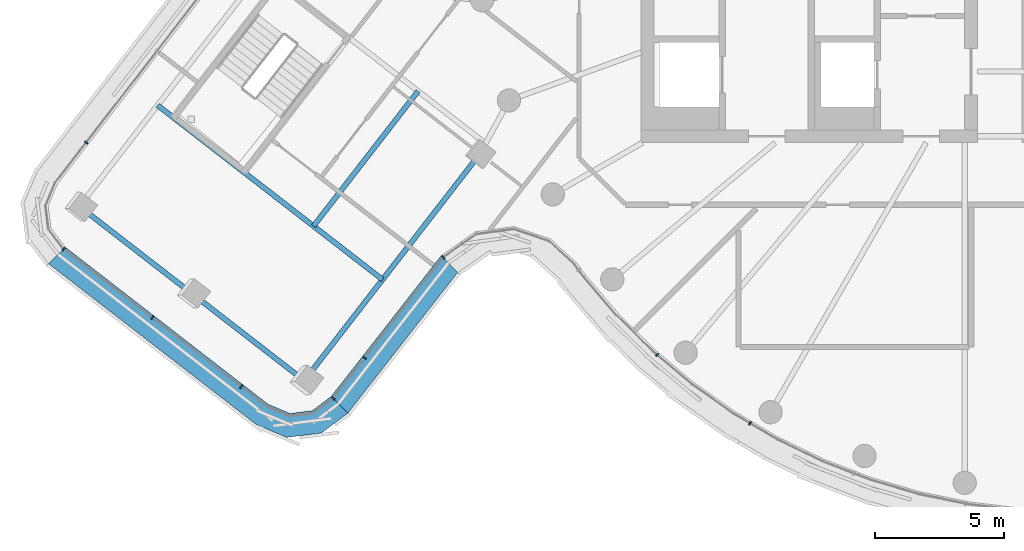
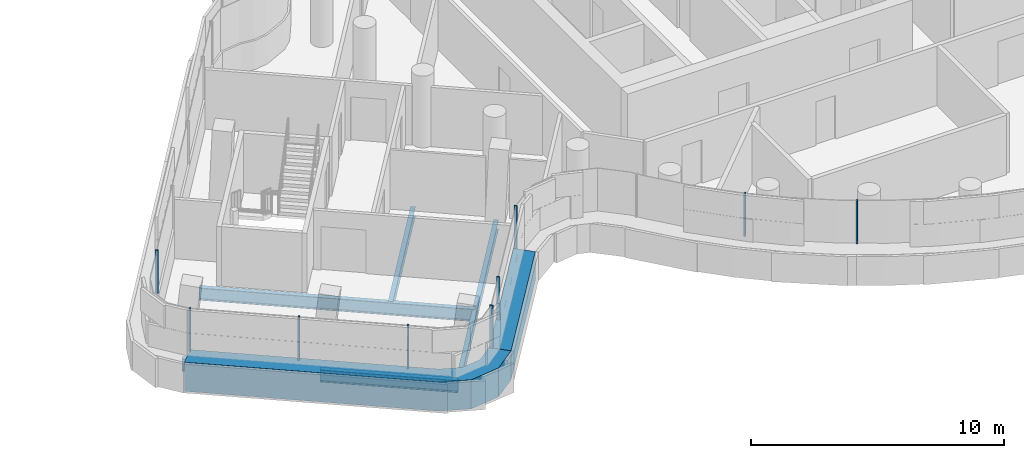
# One storey, part 2 of 26: 11 members, 5 beams, 4 elements without a shape of their own.
"""IFC4 building model written with IfcOpenShell, lengths in metres."""

from ifc_helpers import new_model, si_unit, direction, frame, origin, origin_2d, place, context, subcontext, project, spatial, polyline, rectangle, i_section, outline, extrude, material, layer, layer_set, material_profile, profile_set, type_object, element, aggregate, save


model = new_model("IFC4")

# Units and contexts
model_context = context("Model", 3, precision=1e-05, world=origin(), true_north=direction((0.0, 1.0)))
body_context = subcontext(model_context, "Body", "Model", "MODEL_VIEW")
ifc_project = project(units=[si_unit("LENGTHUNIT", "METRE"), si_unit("AREAUNIT", "SQUARE_METRE"), si_unit("VOLUMEUNIT", "CUBIC_METRE"), si_unit("PLANEANGLEUNIT", "RADIAN"), si_unit("MASSUNIT", "GRAM", prefix="KILO")], contexts=[model_context])

# Site, building, storey
site_placement = place(None, origin())
site = spatial("IfcSite", under=ifc_project, at=site_placement, CompositionType="ELEMENT")
building_placement = place(site_placement, origin())
building = spatial("IfcBuilding", under=site, at=building_placement, Name="Tamarind Cross Interchange Tower", CompositionType="ELEMENT")
storey_placement = place(building_placement, frame((0.0, 0.0, 223.5)))
storey = spatial("IfcBuildingStorey", under=building, at=storey_placement, Name="L56", CompositionType="ELEMENT", Elevation=223.5)

# Beams
ifc_material_1 = material(Name="Steel Q355B", Category="steel")
ifc_material_profile_1 = material_profile(ifc_material_1, i_section(OverallWidth=0.198974609375, OverallDepth=0.446044921875, WebThickness=0.008056640625, FlangeThickness=0.011962890625, FilletRadius=0.012939453125, at=origin_2d()), Name="HN 446x199x8x12")
ifc_profile_set_1 = profile_set([ifc_material_profile_1], Name="Steel Q355B")
beam_type_1 = type_object("IfcBeamType", Name="Composite beam HN 446x199x8x12 Q355B", PredefinedType="BEAM", material=ifc_profile_set_1)
beam_1_placement = place(storey_placement, frame((-29.525634765625, -18.697509765625, -0.363037109375), z_axis=(0.612357436185, 0.790581033386, 0.0), x_axis=(-0.790581033386, 0.612357436185, 0.0)))
element("IfcBeam", 1, at=beam_1_placement, inside=storey, type_object=beam_type_1, Name="Beam W-edgeep2", PredefinedType="BEAM", context=body_context, shape_type="SweptSolid", body=[
    extrude(i_section(OverallWidth=0.198974609375, OverallDepth=0.446044921875, WebThickness=0.008056640625, FlangeThickness=0.011962890625, FilletRadius=0.012939453125, at=origin_2d()), origin(), (0.0, 0.0, 1.0), 11.09033203125),
])
beam_2_placement = place(storey_placement, frame((-25.126953125, -7.50732421875, -0.363037109375), z_axis=(-0.612356713855, -0.790581592878, 0.0), x_axis=(0.790581592878, -0.612356713855, 0.0)))
element("IfcBeam", 2, at=beam_2_placement, inside=storey, type_object=beam_type_1, Name="Beam W-stripp", PredefinedType="BEAM", context=body_context, shape_type="SweptSolid", body=[
    extrude(i_section(OverallWidth=0.198974609375, OverallDepth=0.446044921875, WebThickness=0.008056640625, FlangeThickness=0.011962890625, FilletRadius=0.012939453125, at=origin_2d()), origin(), (0.0, 0.0, 1.0), 6.599853515625),
])
ifc_material_profile_2 = material_profile(ifc_material_1, i_section(OverallWidth=0.198974609375, OverallDepth=0.595947265625, WebThickness=0.010009765625, FlangeThickness=0.014892578125, FilletRadius=0.012939453125, at=origin_2d()), Name="HN 596x199x10x15")
ifc_profile_set_2 = profile_set([ifc_material_profile_2], Name="Steel Q355B")
beam_type_2 = type_object("IfcBeamType", Name="Composite beam HN 596x199x10x15 Q355B", PredefinedType="BEAM", material=ifc_profile_set_2)
for number, where, z_axis, x_axis, name in (
    (3, (-38.221923828125, -11.961669921875, -0.43798828125), (0.790581592878, -0.612356713855, 0.0), (0.612356713855, 0.790581592878, 0.0), "Beam W-tip0"),
    (4, (-33.873779296875, -15.32958984375, -0.43798828125), (0.790581592878, -0.612356713855, 0.0), (0.612356713855, 0.790581592878, 0.0), "Beam W-tip1"),
):
    element("IfcBeam", number, at=place(storey_placement, frame(where, z_axis=z_axis, x_axis=x_axis)), inside=storey, type_object=beam_type_2, Name=name, PredefinedType="BEAM", context=body_context, shape_type="SweptSolid", body=[
        extrude(i_section(OverallWidth=0.198974609375, OverallDepth=0.595947265625, WebThickness=0.010009765625, FlangeThickness=0.014892578125, FilletRadius=0.012939453125, at=origin_2d()), origin(), (0.0, 0.0, 1.0), 5.5),
    ])
beam_3_placement = place(storey_placement, frame((-35.19677734375, -8.055908203125, -0.43798828125), z_axis=(0.79057917066, -0.61235984104, 0.0), x_axis=(0.61235984104, 0.79057917066, 0.0)))
element("IfcBeam", 5, at=beam_3_placement, inside=storey, type_object=beam_type_2, Name="Beam W-x364", PredefinedType="BEAM", context=body_context, shape_type="SweptSolid", body=[
    extrude(i_section(OverallWidth=0.198974609375, OverallDepth=0.595947265625, WebThickness=0.010009765625, FlangeThickness=0.014892578125, FilletRadius=0.012939453125, at=origin_2d()), origin(), (0.0, 0.0, 1.0), 11.000244140625),
])

# Curtain wall, member
ifc_material_2 = material(Name="Aluminium 6063-T6", Category="aluminium")
ifc_layer = layer(ifc_material_2, 0.139892578125)
ifc_layer_set = layer_set([ifc_layer], Name="Aluminium 6063-T6")
curtain_wall_type = type_object("IfcCurtainWallType", Name="Hotel curtain wall, 4.5 m bays", PredefinedType="NOTDEFINED", material=ifc_layer_set)
curtain_wall_1_placement = place(storey_placement, origin())
curtain_wall_1 = element("IfcCurtainWall", 6, at=curtain_wall_1_placement, inside=storey, type_object=curtain_wall_type, Name="CWS-L56-00", PredefinedType="NOTDEFINED")
ifc_material_3 = material(Name="Aluminium and insulated spandrel panel", Category="aluminium")
member_type_1 = type_object("IfcMemberType", Name="Floor-edge blade transom", PredefinedType="USERDEFINED", material=ifc_material_3)
member_1_placement = place(storey_placement, origin())
member_1 = element("IfcMember", 7, at=member_1_placement, type_object=member_type_1, Name="CWT-L56-00", ObjectType="TRANSOM", PredefinedType="USERDEFINED", context=body_context, shape_type="SweptSolid", body=[
    extrude(outline(polyline([(-38.762939453125, -13.541259765625), (-30.919677734375, -19.6162109375), (-30.075439453125, -19.970458984375), (-29.2080078125, -19.8603515625), (-28.478759765625, -19.305908203125), (-27.841064453125, -19.951904296875), (-28.855224609375, -20.72265625), (-30.201171875, -20.893798828125), (-31.376953125, -20.400390625), (-39.40771484375, -14.18017578125), (-38.762939453125, -13.541259765625)])), origin(), (0.0, 0.0, 1.0), 1.39990234375),
])

curtain_wall_2_placement = place(storey_placement, origin())
curtain_wall_2 = element("IfcCurtainWall", 8, at=curtain_wall_2_placement, inside=storey, type_object=curtain_wall_type, Name="CWS-L56-01", PredefinedType="NOTDEFINED")
member_2_placement = place(storey_placement, origin())
member_2 = element("IfcMember", 9, at=member_2_placement, type_object=member_type_1, Name="CWT-L56-01", ObjectType="TRANSOM", PredefinedType="USERDEFINED", context=body_context, shape_type="SweptSolid", body=[
    extrude(outline(polyline([(-28.478759765625, -19.305908203125), (-24.224609375, -13.857666015625), (-23.598876953125, -14.518798828125), (-27.841064453125, -19.951904296875), (-28.478759765625, -19.305908203125)])), origin(), (0.0, 0.0, 1.0), 1.39990234375),
])

# Member
ifc_material_profile_3 = material_profile(ifc_material_2, rectangle(XDim=0.06005859375, YDim=0.139892578125, at=origin_2d()), Name="Mullion CW2")
ifc_profile_set_3 = profile_set([ifc_material_profile_3], Name="Aluminium 6063-T6")
member_type_2 = type_object("IfcMemberType", Name="Mullion CW2", PredefinedType="MULLION", material=ifc_profile_set_3)
member_3_placement = place(storey_placement, frame((-38.83447265625, -13.612060546875, 1.39990234375), z_axis=(0.0, 0.0, 1.0), x_axis=(0.703890763003, -0.710308238555, 0.0)))
member_3 = element("IfcMember", 10, at=member_3_placement, type_object=member_type_2, Name="CWM-L56-00-00", PredefinedType="MULLION", context=body_context, shape_type="SweptSolid", body=[
    extrude(rectangle(XDim=0.06005859375, YDim=0.139892578125, at=origin_2d()), origin(), (0.0, 0.0, 1.0), 2.06005859375),
])

member_4_placement = place(storey_placement, frame((-35.39892578125, -16.273193359375, 1.39990234375), z_axis=(0.0, 0.0, 1.0), x_axis=(0.790582709629, -0.612355272073, 0.0)))
member_4 = element("IfcMember", 11, at=member_4_placement, type_object=member_type_2, Name="CWM-L56-00-01", PredefinedType="MULLION", context=body_context, shape_type="SweptSolid", body=[
    extrude(rectangle(XDim=0.06005859375, YDim=0.139892578125, at=origin_2d()), origin(), (0.0, 0.0, 1.0), 2.06005859375),
])

member_5_placement = place(storey_placement, frame((-31.96337890625, -18.934326171875, 1.39990234375), z_axis=(0.0, 0.0, 1.0), x_axis=(0.790582709629, -0.612355272073, 0.0)))
member_5 = element("IfcMember", 12, at=member_5_placement, type_object=member_type_2, Name="CWM-L56-00-02", PredefinedType="MULLION", context=body_context, shape_type="SweptSolid", body=[
    extrude(rectangle(XDim=0.06005859375, YDim=0.139892578125, at=origin_2d()), origin(), (0.0, 0.0, 1.0), 2.06005859375),
])

aggregate(curtain_wall_1, [member_3, member_4, member_5, member_1])

member_6_placement = place(storey_placement, frame((-28.407958984375, -19.377685546875, 1.39990234375), z_axis=(0.0, 0.0, 1.0), x_axis=(0.711677155442, 0.702506673579, 0.0)))
member_6 = element("IfcMember", 13, at=member_6_placement, type_object=member_type_2, Name="CWM-L56-01-00", PredefinedType="MULLION", context=body_context, shape_type="SweptSolid", body=[
    extrude(rectangle(XDim=0.06005859375, YDim=0.139892578125, at=origin_2d()), origin(), (0.0, 0.0, 1.0), 2.06005859375),
])

member_7_placement = place(storey_placement, frame((-27.194580078125, -17.82373046875, 1.39990234375), z_axis=(0.0, 0.0, 1.0), x_axis=(0.615428676698, 0.788192580464, 0.0)))
member_7 = element("IfcMember", 14, at=member_7_placement, type_object=member_type_2, Name="CWM-L56-01-01", PredefinedType="MULLION", context=body_context, shape_type="SweptSolid", body=[
    extrude(rectangle(XDim=0.06005859375, YDim=0.139892578125, at=origin_2d()), origin(), (0.0, 0.0, 1.0), 2.06005859375),
])

aggregate(curtain_wall_2, [member_6, member_7, member_2])

# Curtain wall, members
curtain_wall_3_placement = place(storey_placement, origin())
curtain_wall_3 = element("IfcCurtainWall", 15, at=curtain_wall_3_placement, inside=storey, type_object=curtain_wall_type, Name="CWS-L56-02", PredefinedType="NOTDEFINED")
member_8_placement = place(storey_placement, frame((-24.1552734375, -13.93115234375, 1.39990234375), z_axis=(0.0, 0.0, 1.0), x_axis=(0.72627176661, 0.68740768182, 0.0)))
member_8 = element("IfcMember", 16, at=member_8_placement, type_object=member_type_2, Name="CWM-L56-02-00", PredefinedType="MULLION", context=body_context, shape_type="SweptSolid", body=[
    extrude(rectangle(XDim=0.06005859375, YDim=0.139892578125, at=origin_2d()), origin(), (0.0, 0.0, 1.0), 2.06005859375),
])
member_9_placement = place(storey_placement, frame((-15.8876953125, -17.705078125, 1.39990234375), z_axis=(0.0, 0.0, 1.0), x_axis=(0.765858396687, -0.643009266048, 0.0)))
member_9 = element("IfcMember", 17, at=member_9_placement, type_object=member_type_2, Name="CWM-L56-02-02", PredefinedType="MULLION", context=body_context, shape_type="SweptSolid", body=[
    extrude(rectangle(XDim=0.06005859375, YDim=0.139892578125, at=origin_2d()), origin(), (0.0, 0.0, 1.0), 2.06005859375),
])
member_10_placement = place(storey_placement, frame((-12.29736328125, -20.349609375, 1.39990234375), z_axis=(0.0, 0.0, 1.0), x_axis=(0.861248933065, -0.508183308752, 0.0)))
member_10 = element("IfcMember", 18, at=member_10_placement, type_object=member_type_2, Name="CWM-L56-02-03", PredefinedType="MULLION", context=body_context, shape_type="SweptSolid", body=[
    extrude(rectangle(XDim=0.06005859375, YDim=0.139892578125, at=origin_2d()), origin(), (0.0, 0.0, 1.0), 2.06005859375),
])
aggregate(curtain_wall_3, [member_8, member_9, member_10])

# Curtain wall, member
curtain_wall_4_placement = place(storey_placement, origin())
curtain_wall_4 = element("IfcCurtainWall", 19, at=curtain_wall_4_placement, inside=storey, type_object=curtain_wall_type, Name="CWS-L56-07", PredefinedType="NOTDEFINED")
member_11_placement = place(storey_placement, frame((-37.95703125, -9.496826171875, 1.39990234375), z_axis=(0.0, 0.0, 1.0), x_axis=(-0.612355272073, -0.790582709629, 0.0)))
member_11 = element("IfcMember", 20, at=member_11_placement, type_object=member_type_2, Name="CWM-L56-07-04", PredefinedType="MULLION", context=body_context, shape_type="SweptSolid", body=[
    extrude(rectangle(XDim=0.06005859375, YDim=0.139892578125, at=origin_2d()), origin(), (0.0, 0.0, 1.0), 2.06005859375),
])
aggregate(curtain_wall_4, [member_11])

save(model, "model.ifc")
